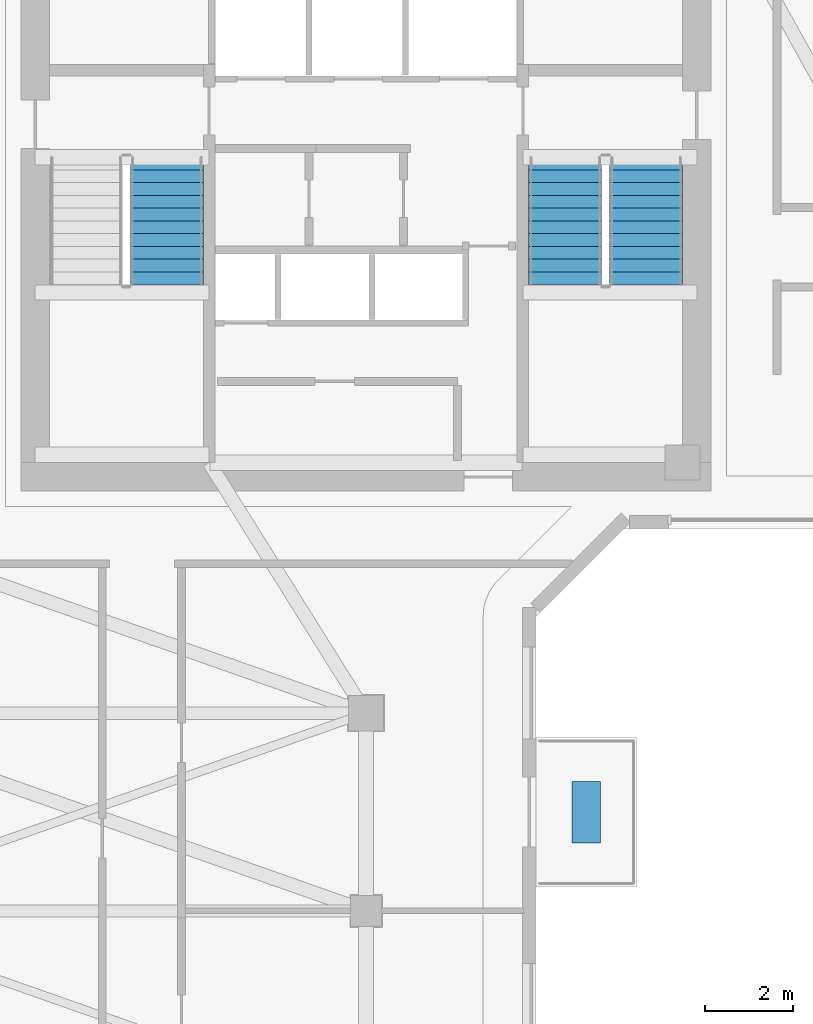
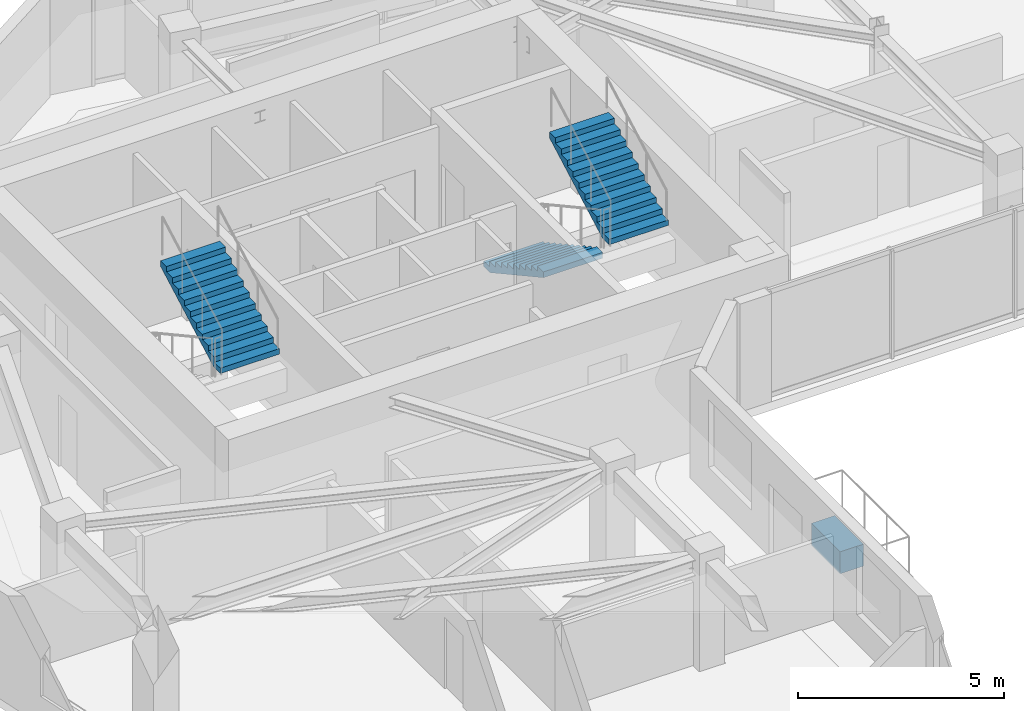
# One storey, part 6 of 9: 3 stair flights, 1 discrete accessory, 2 elements without a shape of their own.
"""IFC4 building model written with IfcOpenShell, lengths in metres."""

import ifcopenshell
import ifcopenshell.guid

model = None  # the IFC model being written
_history = None  # IfcOwnerHistory: only IFC2X3 demands one
_inside = {}  # id of a spatial element -> (the spatial element, [elements in it])
_under = {}  # id of a project, library or spatial element -> (it, [spatial elements below it])
_declared = {}  # id of a project -> (the project, [libraries it declares])
_typed = {}  # id of a type object -> (the type object, [elements of that type])
_made_of = {}  # id of a material, layer set ... -> (it, [elements and type objects made of it])


def new_model(schema):
    """Start an empty IFC model of exactly this schema.

    Asked for "IFC4X3", IfcOpenShell would pick the latest addendum, in which some entities
    have other attributes; the version numbers below select the first issue.
    IFC2X3 requires an IfcOwnerHistory on every rooted entity: one is made here for all.
    """
    global model, _history
    if schema == "IFC4X3":
        model = ifcopenshell.file(schema_version=(4, 3, 0, 0))
    else:
        model = ifcopenshell.file(schema=schema)
    _inside.clear()
    _under.clear()
    _declared.clear()
    _typed.clear()
    _made_of.clear()
    _history = None
    if model.schema == "IFC2X3":
        org = make("IfcOrganization", Name="unknown")
        user = make(
            "IfcPersonAndOrganization",
            ThePerson=make("IfcPerson", FamilyName="unknown"),
            TheOrganization=org,
        )
        app = make(
            "IfcApplication",
            ApplicationDeveloper=org,
            Version="unknown",
            ApplicationFullName="unknown",
            ApplicationIdentifier="unknown",
        )
        _history = make(
            "IfcOwnerHistory",
            OwningUser=user,
            OwningApplication=app,
            ChangeAction="ADDED",
            CreationDate=0,
        )
    return model


def make(cls, **values):
    """One entity of the class cls with the attributes given. An attribute that is None is left unset."""
    return model.create_entity(
        cls, **{name: value for name, value in values.items() if value is not None}
    )


def rooted(cls, **values):
    """An entity with a GlobalId (a new one), such as an element, a storey or a relation."""
    return make(cls, GlobalId=ifcopenshell.guid.new(), OwnerHistory=_history, **values)


def si_unit(unit_type, name, prefix=None):
    """IfcSIUnit, for example si_unit("LENGTHUNIT", "METRE", prefix="MILLI")."""
    return make("IfcSIUnit", UnitType=unit_type, Prefix=prefix, Name=name)


def assignment(units):
    """IfcUnitAssignment: the units of a project."""
    return None if units is None else make("IfcUnitAssignment", Units=units)


def point(xyz):
    """IfcCartesianPoint."""
    return None if xyz is None else make("IfcCartesianPoint", Coordinates=xyz)


def direction(xyz):
    """IfcDirection."""
    return None if xyz is None else make("IfcDirection", DirectionRatios=xyz)


def frame(location, z_axis=None, x_axis=None):
    """IfcAxis2Placement3D, a coordinate frame: its origin and axes. An axis left out is left unset."""
    return make(
        "IfcAxis2Placement3D",
        Location=point(location),
        Axis=direction(z_axis),
        RefDirection=direction(x_axis),
    )


def frame_2d(location, x_axis=None):
    """IfcAxis2Placement2D, a coordinate frame in the plane: its origin and x axis."""
    return make(
        "IfcAxis2Placement2D", Location=point(location), RefDirection=direction(x_axis)
    )


def origin():
    """The frame at (0, 0, 0) with its axes left unset."""
    return frame((0.0, 0.0, 0.0))


def origin_2d():
    """The frame at (0, 0) in the plane with its x axis left unset."""
    return frame_2d((0.0, 0.0))


def place(relative_to, where):
    """IfcLocalPlacement: puts the frame where relative to a parent placement (None: the world)."""
    return make(
        "IfcLocalPlacement", PlacementRelTo=relative_to, RelativePlacement=where
    )


def context(
    kind, dimensions, precision=None, world=None, true_north=None, identifier=None
):
    """IfcGeometricRepresentationContext, for example the 3D "Model" context."""
    return make(
        "IfcGeometricRepresentationContext",
        ContextIdentifier=identifier,
        ContextType=kind,
        CoordinateSpaceDimension=dimensions,
        Precision=precision,
        WorldCoordinateSystem=world,
        TrueNorth=true_north,
    )


def subcontext(parent, identifier, kind, view, scale=None):
    """IfcGeometricRepresentationSubContext, for example "Body" below "Model"."""
    return make(
        "IfcGeometricRepresentationSubContext",
        ContextIdentifier=identifier,
        ContextType=kind,
        ParentContext=parent,
        TargetScale=scale,
        TargetView=view,
    )


def project(units=None, contexts=None):
    """IfcProject with its units and contexts."""
    return rooted(
        "IfcProject",
        Name="project",
        RepresentationContexts=contexts,
        UnitsInContext=assignment(units),
    )


def spatial(cls, under=None, at=None, **own):
    """A site, building, storey or space (cls), placed at a placement, below another one or the project."""
    s = rooted(cls, ObjectPlacement=at, **own)
    if under is not None:
        _under.setdefault(under.id(), (under, []))[1].append(s)
    return s


def polyline(points):
    """IfcPolyline through the points."""
    return make("IfcPolyline", Points=[point(p) for p in points])


def profile(cls, at=None, kind="AREA", **sizes):
    """A parametric profile (cls). Its sizes go by their IFC names, for example OverallWidth=200.0."""
    return make(cls, ProfileType=kind, Position=at, **sizes)


def rectangle(**sizes):
    """IfcRectangleProfileDef."""
    return profile("IfcRectangleProfileDef", **sizes)


def outline(outer, holes=None, kind="AREA"):
    """IfcArbitraryClosedProfileDef: a profile drawn as a closed curve; with holes, ...WithVoids."""
    if holes is None:
        return make("IfcArbitraryClosedProfileDef", ProfileType=kind, OuterCurve=outer)
    return make(
        "IfcArbitraryProfileDefWithVoids",
        ProfileType=kind,
        OuterCurve=outer,
        InnerCurves=holes,
    )


def extrude(swept, where, along, depth):
    """IfcExtrudedAreaSolid: the profile swept, set in the frame where, extruded along a direction by depth."""
    return make(
        "IfcExtrudedAreaSolid",
        SweptArea=swept,
        Position=where,
        ExtrudedDirection=direction(along),
        Depth=depth,
    )


def shape(context_of_items, identifier, shape_type, items):
    """IfcShapeRepresentation: the items that make up one representation, for example the "Body"."""
    return make(
        "IfcShapeRepresentation",
        ContextOfItems=context_of_items,
        RepresentationIdentifier=identifier,
        RepresentationType=shape_type,
        Items=items,
    )


def source(mapping_origin, context_of_items, identifier, shape_type, items):
    """IfcRepresentationMap: a shape defined once, which mapped items show again and again."""
    return make(
        "IfcRepresentationMap",
        MappingOrigin=mapping_origin,
        MappedRepresentation=shape(context_of_items, identifier, shape_type, items),
    )


def transform(
    local_origin,
    x_axis=None,
    y_axis=None,
    z_axis=None,
    scale=None,
    scale2=None,
    scale3=None,
    uniform=True,
):
    """IfcCartesianTransformationOperator3D, or its non-uniform kind. x_axis, y_axis, z_axis: its Axis1, 2, 3."""
    if uniform:
        return make(
            "IfcCartesianTransformationOperator3D",
            Axis1=direction(x_axis),
            Axis2=direction(y_axis),
            LocalOrigin=point(local_origin),
            Scale=scale,
            Axis3=direction(z_axis),
        )
    return make(
        "IfcCartesianTransformationOperator3DnonUniform",
        Axis1=direction(x_axis),
        Axis2=direction(y_axis),
        LocalOrigin=point(local_origin),
        Scale=scale,
        Axis3=direction(z_axis),
        Scale2=scale2,
        Scale3=scale3,
    )


def mapped(mapping_source, mapping_target):
    """IfcMappedItem: shows the shape of a source again, moved by a transform."""
    return make(
        "IfcMappedItem", MappingSource=mapping_source, MappingTarget=mapping_target
    )


def material(Name=None, Category=None):
    """IfcMaterial."""
    return make("IfcMaterial", Name=Name, Category=Category)


def made_of(thing, what):
    """Note that an element or type object is made of a material, layer set ...; save() writes the relation."""
    if what is not None:
        _made_of.setdefault(what.id(), (what, []))[1].append(thing)
    return thing


def type_object(cls, material=None, **own):
    """A type object (cls), such as IfcWallType, which elements share."""
    return made_of(rooted(cls, **own), material)


def element(
    cls,
    number,
    at=None,
    inside=None,
    cuts=None,
    type_object=None,
    material=None,
    context=None,
    identifier="Body",
    shape_type=None,
    held_by="IfcProductDefinitionShape",
    body=None,
    shapes=None,
    **own,
):
    """One element of the class cls, such as IfcWall. Its Tag is "e" and its number.

    at: its placement. inside: the storey or other place that contains it. cuts: it is an
    opening in that element (IfcRelVoidsElement). A single representation is given by context,
    identifier, shape_type and body (its items); several are given by shapes. held_by: the class
    of the entity that holds the representations. save() writes the other relations.
    """
    e = rooted(cls, Tag="e%d" % number, ObjectPlacement=at, **own)
    if body is not None:
        shapes = [shape(context, identifier, shape_type, body)]
    if shapes is not None:
        e.Representation = make(held_by, Representations=shapes)
    if inside is not None:
        _inside.setdefault(inside.id(), (inside, []))[1].append(e)
    if cuts is not None:
        rooted(
            "IfcRelVoidsElement", RelatingBuildingElement=cuts, RelatedOpeningElement=e
        )
    if type_object is not None:
        _typed.setdefault(type_object.id(), (type_object, []))[1].append(e)
    return made_of(e, material)


def aggregate(whole, parts):
    """IfcRelAggregates: a whole, such as a stair, and the parts it consists of."""
    return rooted("IfcRelAggregates", RelatingObject=whole, RelatedObjects=parts)


def save(model, path):
    """Write the relations noted so far, then the file.

    IfcRelAggregates (storeys below a building ...), IfcRelContainedInSpatialStructure (elements
    in a storey), IfcRelDefinesByType, IfcRelAssociatesMaterial and IfcRelDeclares: one each for
    every whole, place, type object, material and project.
    """
    for whole, parts in _under.values():
        aggregate(whole, parts)
    for where, things in _inside.values():
        rooted(
            "IfcRelContainedInSpatialStructure",
            RelatedElements=things,
            RelatingStructure=where,
        )
    for kind, things in _typed.values():
        rooted("IfcRelDefinesByType", RelatedObjects=things, RelatingType=kind)
    for what, things in _made_of.values():
        rooted("IfcRelAssociatesMaterial", RelatedObjects=things, RelatingMaterial=what)
    for by, libraries in _declared.values():
        rooted("IfcRelDeclares", RelatingContext=by, RelatedDefinitions=libraries)
    model.write(path)


model = new_model("IFC4")

# Units and contexts
model_context = context("Model", 3, precision=1e-05, world=origin(), true_north=direction((0.0, 1.0)))
body_context = subcontext(model_context, "Body", "Model", "MODEL_VIEW")
ifc_project = project(units=[si_unit("LENGTHUNIT", "METRE"), si_unit("AREAUNIT", "SQUARE_METRE"), si_unit("VOLUMEUNIT", "CUBIC_METRE"), si_unit("PLANEANGLEUNIT", "RADIAN"), si_unit("MASSUNIT", "GRAM", prefix="KILO")], contexts=[model_context])

# Site, building, storey
site_placement = place(None, origin())
site = spatial("IfcSite", under=ifc_project, at=site_placement, CompositionType="ELEMENT")
building_placement = place(site_placement, origin())
building = spatial("IfcBuilding", under=site, at=building_placement, Name="Calvemar Wedge Station Tower", CompositionType="ELEMENT")
storey_placement = place(building_placement, frame((0.0, 0.0, 239.39990234375)))
storey = spatial("IfcBuildingStorey", under=building, at=storey_placement, Name="L61", CompositionType="ELEMENT", Elevation=239.39990234375)

# Stair, stair flight
ifc_material_1 = material(Name="Concrete C45", Category="concrete")
stair_type = type_object("IfcStairType", Name="ST-TYPE-3500", PredefinedType="HALF_TURN_STAIR", material=ifc_material_1)
stair_1_placement = place(storey_placement, origin())
stair_1 = element("IfcStair", 1, at=stair_1_placement, inside=storey, type_object=stair_type, Name="L61 Pressurized Core Exit Stair ST-C1", PredefinedType="HALF_TURN_STAIR")
stair_flight_type = type_object("IfcStairFlightType", Name="STF-TYPE-3500", PredefinedType="STRAIGHT", material=ifc_material_1)
stair_flight_1_placement = place(storey_placement, frame((19.27001953125, 38.25, 1.75), z_axis=(0.0, 0.0, 1.0), x_axis=(0.0, 1.0, 0.0)))
stair_flight_1 = element("IfcStairFlight", 2, at=stair_flight_1_placement, type_object=stair_flight_type, Name="ST-C1 flight 2", NumberOfRisers=11, NumberOfTreads=10, PredefinedType="STRAIGHT", RiserHeight=0.159090909, TreadLength=0.29, context=body_context, shape_type="SweptSolid", body=[
    extrude(outline(polyline([(0.0, 0.0), (0.0, 0.1591796875), (0.2900390625, 0.1591796875), (0.2900390625, 0.318115234375), (0.580078125, 0.318115234375), (0.580078125, 0.477294921875), (0.8701171875, 0.477294921875), (0.8701171875, 0.636474609375), (1.159912109375, 0.636474609375), (1.159912109375, 0.79541015625), (1.449951171875, 0.79541015625), (1.449951171875, 0.95458984375), (1.739990234375, 0.95458984375), (1.739990234375, 1.113525390625), (2.030029296875, 1.113525390625), (2.030029296875, 1.272705078125), (2.320068359375, 1.272705078125), (2.320068359375, 1.431884765625), (2.610107421875, 1.431884765625), (2.610107421875, 1.5908203125), (2.89990234375, 1.5908203125), (2.89990234375, 1.75), (2.89990234375, 1.419921875), (0.311767578125, 0.0), (0.0, 0.0)])), frame((0.0, 0.830078125, 0.0), z_axis=(0.0, -1.0, 0.0), x_axis=(1.0, 0.0, 0.0)), (0.0, 0.0, 1.0), 1.659912109375),
])
aggregate(stair_1, [stair_flight_1])

# Stair, stair flights
stair_2_placement = place(storey_placement, origin())
stair_2 = element("IfcStair", 3, at=stair_2_placement, inside=storey, type_object=stair_type, Name="L61 Pressurized Core Exit Stair ST-C2", PredefinedType="HALF_TURN_STAIR")
stair_flight_2_placement = place(storey_placement, frame((28.330078125, 41.14990234375, 0.0), z_axis=(0.0, 0.0, 1.0), x_axis=(0.0, -1.0, 0.0)))
stair_flight_2 = element("IfcStairFlight", 4, at=stair_flight_2_placement, type_object=stair_flight_type, Name="ST-C2 flight 1", NumberOfRisers=11, NumberOfTreads=10, PredefinedType="STRAIGHT", RiserHeight=0.159090909, TreadLength=0.29, context=body_context, shape_type="SweptSolid", body=[
    extrude(outline(polyline([(0.0, 0.0), (0.0, 0.1591796875), (0.2900390625, 0.1591796875), (0.2900390625, 0.318115234375), (0.580078125, 0.318115234375), (0.580078125, 0.477294921875), (0.8701171875, 0.477294921875), (0.8701171875, 0.636474609375), (1.159912109375, 0.636474609375), (1.159912109375, 0.79541015625), (1.449951171875, 0.79541015625), (1.449951171875, 0.95458984375), (1.739990234375, 0.95458984375), (1.739990234375, 1.113525390625), (2.030029296875, 1.113525390625), (2.030029296875, 1.272705078125), (2.320068359375, 1.272705078125), (2.320068359375, 1.431884765625), (2.610107421875, 1.431884765625), (2.610107421875, 1.5908203125), (2.89990234375, 1.5908203125), (2.89990234375, 1.75), (2.89990234375, 1.419921875), (0.311767578125, 0.0), (0.0, 0.0)])), frame((0.0, 0.830078125, 0.0), z_axis=(0.0, -1.0, 0.0), x_axis=(1.0, 0.0, 0.0)), (0.0, 0.0, 1.0), 1.659912109375),
])
stair_flight_3_placement = place(storey_placement, frame((30.169921875, 38.25, 1.75), z_axis=(0.0, 0.0, 1.0), x_axis=(0.0, 1.0, 0.0)))
stair_flight_3 = element("IfcStairFlight", 5, at=stair_flight_3_placement, type_object=stair_flight_type, Name="ST-C2 flight 2", NumberOfRisers=11, NumberOfTreads=10, PredefinedType="STRAIGHT", RiserHeight=0.159090909, TreadLength=0.29, context=body_context, shape_type="SweptSolid", body=[
    extrude(outline(polyline([(0.0, 0.0), (0.0, 0.1591796875), (0.2900390625, 0.1591796875), (0.2900390625, 0.318115234375), (0.580078125, 0.318115234375), (0.580078125, 0.477294921875), (0.8701171875, 0.477294921875), (0.8701171875, 0.636474609375), (1.159912109375, 0.636474609375), (1.159912109375, 0.79541015625), (1.449951171875, 0.79541015625), (1.449951171875, 0.95458984375), (1.739990234375, 0.95458984375), (1.739990234375, 1.113525390625), (2.030029296875, 1.113525390625), (2.030029296875, 1.272705078125), (2.320068359375, 1.272705078125), (2.320068359375, 1.431884765625), (2.610107421875, 1.431884765625), (2.610107421875, 1.5908203125), (2.89990234375, 1.5908203125), (2.89990234375, 1.75), (2.89990234375, 1.419921875), (0.311767578125, 0.0), (0.0, 0.0)])), frame((0.0, 0.830078125, 0.0), z_axis=(0.0, -1.0, 0.0), x_axis=(1.0, 0.0, 0.0)), (0.0, 0.0, 1.0), 1.659912109375),
])
aggregate(stair_2, [stair_flight_2, stair_flight_3])

# Discrete accessory
ifc_material_2 = material(Name="Precast concrete C45", Category="concrete")
discrete_accessory_type = type_object("IfcDiscreteAccessoryType", Name="ACC-PLANTER", PredefinedType="USERDEFINED", material=ifc_material_2)
shared_shape = source(origin(), body_context, "Body", "SweptSolid", [
    extrude(rectangle(XDim=0.64990234375, YDim=1.39990234375, at=origin_2d()), origin(), (0.0, 0.0, 1.0), 0.64990234375),
])
discrete_accessory_placement = place(storey_placement, frame((28.81396484375, 26.25, 0.000244140625), z_axis=(0.0, 0.0, 1.0), x_axis=(1.0, 0.0, 0.0)))
element("IfcDiscreteAccessory", 6, at=discrete_accessory_placement, inside=storey, type_object=discrete_accessory_type, Name="Storey L61 Planted Terrace GFRC Planter", ObjectType="PLANTER", PredefinedType="USERDEFINED", context=body_context, shape_type="MappedRepresentation", body=[
    mapped(shared_shape, transform((0.0, 0.0, 0.0), scale=1.0)),
])

save(model, "model.ifc")
